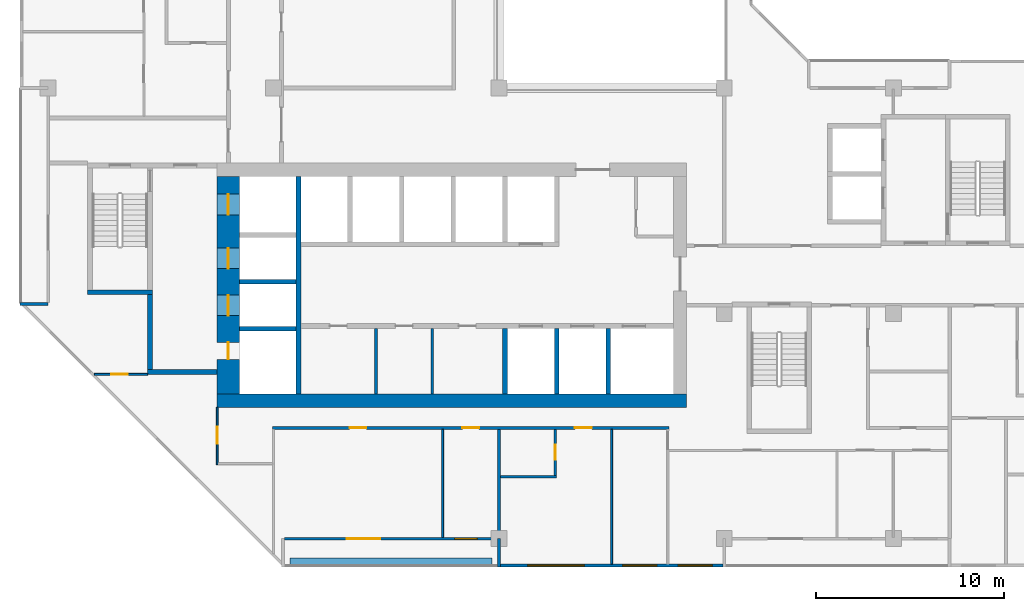
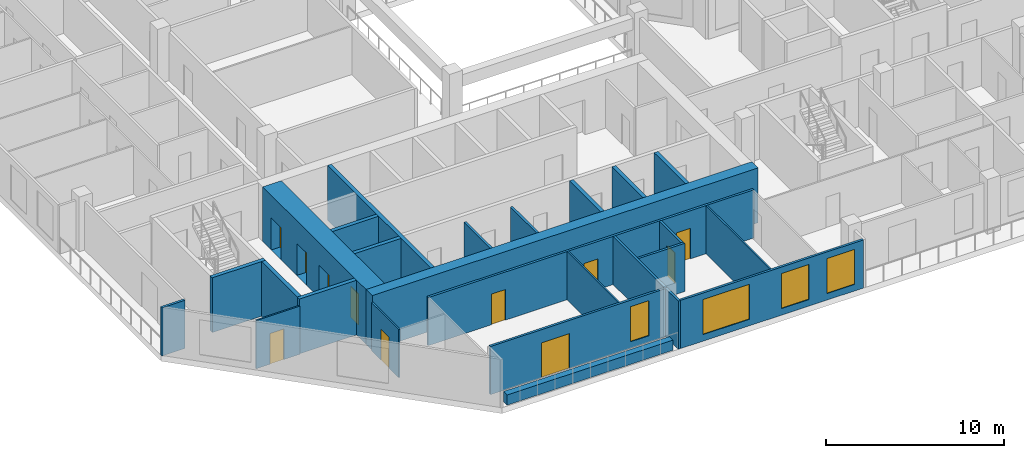
# One storey, part 4 of 15: 26 walls, 11 doors, 4 windows, 15 openings.
"""IFC4 building model written with IfcOpenShell, lengths in metres."""

from ifc_helpers import new_model, si_unit, direction, frame, frame_2d, origin, place, context, subcontext, project, spatial, rectangle, extrude, material, layer, layer_set, type_object, element, fill, save


model = new_model("IFC4")

# Units and contexts
model_context = context("Model", 3, precision=1e-05, world=origin(), true_north=direction((0.0, 1.0)))
body_context = subcontext(model_context, "Body", "Model", "MODEL_VIEW")
ifc_project = project(units=[si_unit("LENGTHUNIT", "METRE"), si_unit("AREAUNIT", "SQUARE_METRE"), si_unit("VOLUMEUNIT", "CUBIC_METRE"), si_unit("PLANEANGLEUNIT", "RADIAN"), si_unit("MASSUNIT", "GRAM", prefix="KILO")], contexts=[model_context])

# Site, building, storey
site_placement = place(None, origin())
site = spatial("IfcSite", under=ifc_project, at=site_placement, CompositionType="ELEMENT")
building_placement = place(site_placement, origin())
building = spatial("IfcBuilding", under=site, at=building_placement, Name="Chenar Terraces", CompositionType="ELEMENT")
storey_placement = place(building_placement, frame((0.0, 0.0, 252.89990234375)))
storey = spatial("IfcBuildingStorey", under=building, at=storey_placement, Name="L60", CompositionType="ELEMENT", Elevation=252.89990234375)

# Walls
ifc_material_1 = material(Name="Gypsum board on steel studs", Category="steel")
ifc_layer_1 = layer(ifc_material_1, 0.14990234375)
ifc_layer_set_1 = layer_set([ifc_layer_1], Name="Gypsum board on steel studs")
wall_type_1 = type_object("IfcWallType", Name="Core partition 150 gypsum board", PredefinedType="PARTITIONING", material=ifc_layer_set_1)
for number, where, z_axis, x_axis, name in (
    (1, (17.449951171875, 7.699951171875, 0.0), (0.0, 0.0, 1.0), (0.0, 1.0, 0.0), "Core partition CP1 freed bay wall"),
    (2, (20.449951171875, 7.699951171875, 0.0), (0.0, 0.0, 1.0), (0.0, 1.0, 0.0), "Core partition CP1 freed bay wall"),
):
    element("IfcWall", number, at=place(storey_placement, frame(where, z_axis=z_axis, x_axis=x_axis)), inside=storey, type_object=wall_type_1, Name=name, PredefinedType="PARTITIONING", context=body_context, shape_type="SweptSolid", body=[
        extrude(rectangle(XDim=3.5, YDim=0.14990234375, at=frame_2d((1.75, 0.0))), origin(), (0.0, 0.0, 1.0), 3.300048828125),
    ])

# Wall, openings, doors
ifc_material_2 = material(Name="Concrete C60/75", Category="concrete")
ifc_layer_2 = layer(ifc_material_2, 1.199951171875)
ifc_layer_set_2 = layer_set([ifc_layer_2], Name="Concrete C60/75")
wall_type_2 = type_object("IfcWallType", Name="Core wall 1200 Concrete C60/75", PredefinedType="SHEAR", material=ifc_layer_set_2)
wall_1_placement = place(storey_placement, frame((9.60009765625, 7.699951171875, 0.0), z_axis=(0.0, 0.0, 1.0), x_axis=(0.0, 1.0, 0.0)))
wall_1 = element("IfcWall", 3, at=wall_1_placement, inside=storey, type_object=wall_type_2, Name="Core wall W L60", PredefinedType="SHEAR", context=body_context, shape_type="SweptSolid", body=[
    extrude(rectangle(XDim=11.60009765625, YDim=1.199951171875, at=frame_2d((5.800048828125, 0.0))), origin(), (0.0, 0.0, 1.0), 3.75),
])
opening_1_placement = place(wall_1_placement, frame((4.175048828125, 0.0, 0.0)))
opening_1 = element("IfcOpeningElement", 4, at=opening_1_placement, cuts=wall_1, Name="Opening DL60-LD5", PredefinedType="OPENING", context=body_context, shape_type="SweptSolid", body=[
    extrude(rectangle(XDim=1.10009765625, YDim=2.199951171875, at=frame_2d((0.550048828125, 1.10009765625))), frame((0.0, 0.60986328125, 0.0), z_axis=(0.0, -1.0, 0.0), x_axis=(1.0, 0.0, 0.0)), (0.0, 0.0, 1.0), 1.219970703125),
])
opening_2_placement = place(wall_1_placement, frame((6.675048828125, 0.0, 0.0)))
opening_2 = element("IfcOpeningElement", 5, at=opening_2_placement, cuts=wall_1, Name="Opening DL60-LD6", PredefinedType="OPENING", context=body_context, shape_type="SweptSolid", body=[
    extrude(rectangle(XDim=1.10009765625, YDim=2.199951171875, at=frame_2d((0.550048828125, 1.10009765625))), frame((0.0, 0.60986328125, 0.0), z_axis=(0.0, -1.0, 0.0), x_axis=(1.0, 0.0, 0.0)), (0.0, 0.0, 1.0), 1.219970703125),
])
opening_3_placement = place(wall_1_placement, frame((9.550048828125, 0.0, 0.0)))
opening_3 = element("IfcOpeningElement", 6, at=opening_3_placement, cuts=wall_1, Name="Opening DL60-LD7", PredefinedType="OPENING", context=body_context, shape_type="SweptSolid", body=[
    extrude(rectangle(XDim=1.10009765625, YDim=2.199951171875, at=frame_2d((0.550048828125, 1.10009765625))), frame((0.0, 0.60986328125, 0.0), z_axis=(0.0, -1.0, 0.0), x_axis=(1.0, 0.0, 0.0)), (0.0, 0.0, 1.0), 1.219970703125),
])
opening_4_placement = place(wall_1_placement, frame((1.85009765625, 0.0, 0.0)))
opening_4 = element("IfcOpeningElement", 7, at=opening_4_placement, cuts=wall_1, Name="Opening DL60-C4", PredefinedType="OPENING", context=body_context, shape_type="SweptSolid", body=[
    extrude(rectangle(XDim=0.89990234375, YDim=2.10009765625, at=frame_2d((0.449951171875, 1.050048828125))), frame((0.0, 0.60986328125, 0.0), z_axis=(0.0, -1.0, 0.0), x_axis=(1.0, 0.0, 0.0)), (0.0, 0.0, 1.0), 1.219970703125),
])
ifc_material_3 = material(Name="Stainless steel", Category="steel")
door_type_1 = type_object("IfcDoorType", Name="Lift landing door 1100 x 2200 sliding", OperationType="DOUBLE_DOOR_SLIDING", PredefinedType="DOOR", material=ifc_material_3)
door_1_placement = place(opening_1_placement, origin())
door_1 = element("IfcDoor", 8, at=door_1_placement, inside=storey, type_object=door_type_1, Name="Landing door S1", OperationType="DOUBLE_DOOR_SLIDING", OverallHeight=2.199951171875, OverallWidth=1.10009765625, PredefinedType="DOOR", context=body_context, shape_type="SweptSolid", body=[
    extrude(rectangle(XDim=1.10009765625, YDim=2.199951171875, at=frame_2d((0.550048828125, 1.10009765625))), frame((0.0, 0.02490234375, 0.0), z_axis=(0.0, -1.0, 0.0), x_axis=(1.0, 0.0, 0.0)), (0.0, 0.0, 1.0), 0.050048828125),
])
fill(opening_1, door_1)
door_2_placement = place(opening_2_placement, origin())
door_2 = element("IfcDoor", 9, at=door_2_placement, inside=storey, type_object=door_type_1, Name="Landing door F1", OperationType="DOUBLE_DOOR_SLIDING", OverallHeight=2.199951171875, OverallWidth=1.10009765625, PredefinedType="DOOR", context=body_context, shape_type="SweptSolid", body=[
    extrude(rectangle(XDim=1.10009765625, YDim=2.199951171875, at=frame_2d((0.550048828125, 1.10009765625))), frame((0.0, 0.02490234375, 0.0), z_axis=(0.0, -1.0, 0.0), x_axis=(1.0, 0.0, 0.0)), (0.0, 0.0, 1.0), 0.050048828125),
])
fill(opening_2, door_2)
door_3_placement = place(opening_3_placement, origin())
door_3 = element("IfcDoor", 10, at=door_3_placement, inside=storey, type_object=door_type_1, Name="Landing door F2", OperationType="DOUBLE_DOOR_SLIDING", OverallHeight=2.199951171875, OverallWidth=1.10009765625, PredefinedType="DOOR", context=body_context, shape_type="SweptSolid", body=[
    extrude(rectangle(XDim=1.10009765625, YDim=2.199951171875, at=frame_2d((0.550048828125, 1.10009765625))), frame((0.0, 0.02490234375, 0.0), z_axis=(0.0, -1.0, 0.0), x_axis=(1.0, 0.0, 0.0)), (0.0, 0.0, 1.0), 0.050048828125),
])
fill(opening_3, door_3)
ifc_material_4 = material(Name="Steel-framed fire-resisting door leaf", Category="steel")
door_type_2 = type_object("IfcDoorType", Name="Riser fire door FD60 900 x 2100", OperationType="SINGLE_SWING_LEFT", PredefinedType="DOOR", material=ifc_material_4)
door_4_placement = place(opening_4_placement, frame((0.89990234375, 0.0, 0.0), z_axis=(0.0, 0.0, 1.0), x_axis=(-1.0, 0.0, 0.0)))
door_4 = element("IfcDoor", 11, at=door_4_placement, inside=storey, type_object=door_type_2, Name="Riser door DL60-C4", OperationType="SINGLE_SWING_LEFT", OverallHeight=2.10009765625, OverallWidth=0.89990234375, PredefinedType="DOOR", context=body_context, shape_type="SweptSolid", body=[
    extrude(rectangle(XDim=0.89990234375, YDim=2.10009765625, at=frame_2d((0.449951171875, 1.050048828125))), frame((0.0, 0.02490234375, 0.0), z_axis=(0.0, -1.0, 0.0), x_axis=(1.0, 0.0, 0.0)), (0.0, 0.0, 1.0), 0.050048828125),
])
fill(opening_4, door_4)

# Walls
ifc_material_5 = material(Name="Concrete C60/75", Category="concrete")
ifc_layer_3 = layer(ifc_material_5, 0.25)
ifc_layer_set_3 = layer_set([ifc_layer_3], Name="Concrete C60/75")
wall_type_3 = type_object("IfcWallType", Name="Core wall 250 Concrete C60/75", PredefinedType="SHEAR", material=ifc_layer_set_3)
wall_2_placement = place(storey_placement, frame((13.324951171875, 7.699951171875, 0.0), z_axis=(0.0, 0.0, 1.0), x_axis=(0.0, 1.0, 0.0)))
element("IfcWall", 12, at=wall_2_placement, inside=storey, type_object=wall_type_3, Name="Core wall WI L60", PredefinedType="SHEAR", context=body_context, shape_type="SweptSolid", body=[
    extrude(rectangle(XDim=11.60009765625, YDim=0.25, at=frame_2d((5.800048828125, 0.0))), origin(), (0.0, 0.0, 1.0), 3.75),
])
for number, where, z_axis, x_axis, name in (
    (13, (10.199951171875, 11.175048828125, 0.0), (0.0, 0.0, 1.0), (1.0, 0.0, 0.0), "Core wall HW0 L60"),
    (14, (10.199951171875, 13.675048828125, 0.0), (0.0, 0.0, 1.0), (1.0, 0.0, 0.0), "Core wall HW1 L60"),
):
    element("IfcWall", number, at=place(storey_placement, frame(where, z_axis=z_axis, x_axis=x_axis)), inside=storey, type_object=wall_type_3, Name=name, PredefinedType="SHEAR", context=body_context, shape_type="SweptSolid", body=[
        extrude(rectangle(XDim=3.0, YDim=0.25, at=frame_2d((1.5, 0.0))), origin(), (0.0, 0.0, 1.0), 3.75),
    ])
for number, where, z_axis, x_axis, name in (
    (15, (24.324951171875, 7.699951171875, 0.0), (0.0, 0.0, 1.0), (0.0, 1.0, 0.0), "Core wall SS3 L60"),
    (16, (27.074951171875, 7.699951171875, 0.0), (0.0, 0.0, 1.0), (0.0, 1.0, 0.0), "Core wall SS4 L60"),
    (17, (29.824951171875, 7.699951171875, 0.0), (0.0, 0.0, 1.0), (0.0, 1.0, 0.0), "Core wall SS5 L60"),
):
    element("IfcWall", number, at=place(storey_placement, frame(where, z_axis=z_axis, x_axis=x_axis)), inside=storey, type_object=wall_type_3, Name=name, PredefinedType="SHEAR", context=body_context, shape_type="SweptSolid", body=[
        extrude(rectangle(XDim=3.5, YDim=0.25, at=frame_2d((1.75, 0.0))), origin(), (0.0, 0.0, 1.0), 3.75),
    ])
wall_3_placement = place(storey_placement, frame((2.10009765625, 13.125, 0.0), z_axis=(0.0, 0.0, 1.0), x_axis=(1.0, 0.0, 0.0)))
element("IfcWall", 18, at=wall_3_placement, inside=storey, type_object=wall_type_3, Name="Core wall ST1_S L60", PredefinedType="SHEAR", context=body_context, shape_type="SweptSolid", body=[
    extrude(rectangle(XDim=3.449951171875, YDim=0.25, at=frame_2d((1.72509765625, 0.0))), origin(), (0.0, 0.0, 1.0), 3.75),
])
wall_4_placement = place(storey_placement, frame((5.300048828125, 8.875, 0.0), z_axis=(0.0, 0.0, 1.0), x_axis=(1.0, 0.0, 0.0)))
element("IfcWall", 19, at=wall_4_placement, inside=storey, type_object=wall_type_3, Name="Core wall FFL_S L60", PredefinedType="SHEAR", context=body_context, shape_type="SweptSolid", body=[
    extrude(rectangle(XDim=3.699951171875, YDim=0.25, at=frame_2d((1.85009765625, 0.0))), origin(), (0.0, 0.0, 1.0), 3.75),
])
wall_5_placement = place(storey_placement, frame((5.425048828125, 9.0, 0.0), z_axis=(0.0, 0.0, 1.0), x_axis=(0.0, 1.0, 0.0)))
element("IfcWall", 20, at=wall_5_placement, inside=storey, type_object=wall_type_3, Name="Core wall FFL_W L60", PredefinedType="SHEAR", context=body_context, shape_type="SweptSolid", body=[
    extrude(rectangle(XDim=4.0, YDim=0.25, at=frame_2d((2.0, 0.0))), origin(), (0.0, 0.0, 1.0), 3.75),
])
ifc_material_6 = material(Name="Concrete C60/75", Category="concrete")
ifc_layer_4 = layer(ifc_material_6, 0.699951171875)
ifc_layer_set_4 = layer_set([ifc_layer_4], Name="Concrete C60/75")
wall_type_4 = type_object("IfcWallType", Name="Core wall 700 Concrete C60/75", PredefinedType="SHEAR", material=ifc_layer_set_4)
wall_6_placement = place(storey_placement, frame((9.0, 7.35009765625, 0.0), z_axis=(0.0, 0.0, 1.0), x_axis=(1.0, 0.0, 0.0)))
element("IfcWall", 21, at=wall_6_placement, inside=storey, type_object=wall_type_4, Name="Core wall S L60", PredefinedType="SHEAR", context=body_context, shape_type="SweptSolid", body=[
    extrude(rectangle(XDim=25.0, YDim=0.699951171875, at=frame_2d((12.5, 0.0))), origin(), (0.0, 0.0, 1.0), 3.75),
])

# Wall, openings, windows
ifc_material_7 = material(Name="Aluminium framed glazing", Category="aluminium")
ifc_layer_5 = layer(ifc_material_7, 0.14990234375)
ifc_layer_set_5 = layer_set([ifc_layer_5], Name="Aluminium framed glazing")
wall_type_5 = type_object("IfcWallType", Name="Glazed flush facade wall 150", PredefinedType="SOLIDWALL", material=ifc_layer_set_5)
wall_7_placement = place(storey_placement, frame((24.074951171875, -1.425048828125, 0.0), z_axis=(0.0, 0.0, 1.0), x_axis=(1.0, 0.0, 0.0)))
wall_7 = element("IfcWall", 22, at=wall_7_placement, inside=storey, type_object=wall_type_5, Name="Glazed flush facade wall", PredefinedType="SOLIDWALL", context=body_context, shape_type="SweptSolid", body=[
    extrude(rectangle(XDim=11.85009765625, YDim=0.14990234375, at=frame_2d((5.925048828125, 0.0))), origin(), (0.0, 0.0, 1.0), 3.300048828125),
])
opening_5_placement = place(wall_7_placement, frame((1.46240234375, 0.0, 0.449951171875)))
opening_5 = element("IfcOpeningElement", 23, at=opening_5_placement, cuts=wall_7, Name="Opening W300x240", PredefinedType="OPENING", context=body_context, shape_type="SweptSolid", body=[
    extrude(rectangle(XDim=3.0, YDim=2.39990234375, at=frame_2d((1.5, 1.199951171875))), frame((0.0, 0.0849609375, 0.0), z_axis=(0.0, -1.0, 0.0), x_axis=(1.0, 0.0, 0.0)), (0.0, 0.0, 1.0), 0.169921875),
])
opening_6_placement = place(wall_7_placement, frame((6.52490234375, 0.0, 0.449951171875)))
opening_6 = element("IfcOpeningElement", 24, at=opening_6_placement, cuts=wall_7, Name="Opening W180x240", PredefinedType="OPENING", context=body_context, shape_type="SweptSolid", body=[
    extrude(rectangle(XDim=1.800048828125, YDim=2.39990234375, at=frame_2d((0.89990234375, 1.199951171875))), frame((0.0, 0.0849609375, 0.0), z_axis=(0.0, -1.0, 0.0), x_axis=(1.0, 0.0, 0.0)), (0.0, 0.0, 1.0), 0.169921875),
])
opening_7_placement = place(wall_7_placement, frame((9.487548828125, 0.0, 0.449951171875)))
opening_7 = element("IfcOpeningElement", 25, at=opening_7_placement, cuts=wall_7, Name="Opening W180x240", PredefinedType="OPENING", context=body_context, shape_type="SweptSolid", body=[
    extrude(rectangle(XDim=1.800048828125, YDim=2.39990234375, at=frame_2d((0.89990234375, 1.199951171875))), frame((0.0, 0.0849609375, 0.0), z_axis=(0.0, -1.0, 0.0), x_axis=(1.0, 0.0, 0.0)), (0.0, 0.0, 1.0), 0.169921875),
])
ifc_material_8 = material(Name="Low emissivity double glazing, aluminium frame", Category="aluminium")
window_type_1 = type_object("IfcWindowType", Name="Fixed light 1800 x 2400", PartitioningType="SINGLE_PANEL", PredefinedType="WINDOW", material=ifc_material_8)
window_1_placement = place(opening_6_placement, origin())
window_1 = element("IfcWindow", 26, at=window_1_placement, inside=storey, type_object=window_type_1, Name="Window", OverallHeight=2.39990234375, OverallWidth=1.800048828125, PartitioningType="SINGLE_PANEL", PredefinedType="WINDOW", context=body_context, shape_type="SweptSolid", body=[
    extrude(rectangle(XDim=1.800048828125, YDim=2.39990234375, at=frame_2d((0.89990234375, 1.199951171875))), frame((0.0, 0.030029296875, 0.0), z_axis=(0.0, -1.0, 0.0), x_axis=(1.0, 0.0, 0.0)), (0.0, 0.0, 1.0), 0.06005859375),
])
fill(opening_6, window_1)
window_2_placement = place(opening_7_placement, origin())
window_2 = element("IfcWindow", 27, at=window_2_placement, inside=storey, type_object=window_type_1, Name="Window", OverallHeight=2.39990234375, OverallWidth=1.800048828125, PartitioningType="SINGLE_PANEL", PredefinedType="WINDOW", context=body_context, shape_type="SweptSolid", body=[
    extrude(rectangle(XDim=1.800048828125, YDim=2.39990234375, at=frame_2d((0.89990234375, 1.199951171875))), frame((0.0, 0.030029296875, 0.0), z_axis=(0.0, -1.0, 0.0), x_axis=(1.0, 0.0, 0.0)), (0.0, 0.0, 1.0), 0.06005859375),
])
fill(opening_7, window_2)
ifc_material_9 = material(Name="Low emissivity double glazing, aluminium frame", Category="aluminium")
window_type_2 = type_object("IfcWindowType", Name="Fixed light 3000 x 2400", PartitioningType="SINGLE_PANEL", PredefinedType="WINDOW", material=ifc_material_9)
window_3_placement = place(opening_5_placement, origin())
window_3 = element("IfcWindow", 28, at=window_3_placement, inside=storey, type_object=window_type_2, Name="Window", OverallHeight=2.39990234375, OverallWidth=3.0, PartitioningType="SINGLE_PANEL", PredefinedType="WINDOW", context=body_context, shape_type="SweptSolid", body=[
    extrude(rectangle(XDim=3.0, YDim=2.39990234375, at=frame_2d((1.5, 1.199951171875))), frame((0.0, 0.030029296875, 0.0), z_axis=(0.0, -1.0, 0.0), x_axis=(1.0, 0.0, 0.0)), (0.0, 0.0, 1.0), 0.06005859375),
])
fill(opening_5, window_3)

# Wall, openings, window, door
ifc_material_10 = material(Name="Aluminium framed glazing", Category="aluminium")
ifc_layer_6 = layer(ifc_material_10, 0.14990234375)
ifc_layer_set_6 = layer_set([ifc_layer_6], Name="Aluminium framed glazing")
wall_type_6 = type_object("IfcWallType", Name="Glazed loggia back wall 150", PredefinedType="SOLIDWALL", material=ifc_layer_set_6)
wall_8_placement = place(storey_placement, frame((12.574951171875, 0.0, 0.0), z_axis=(0.0, 0.0, 1.0), x_axis=(1.0, 0.0, 0.0)))
wall_8 = element("IfcWall", 29, at=wall_8_placement, inside=storey, type_object=wall_type_6, Name="Glazed loggia back wall", PredefinedType="SOLIDWALL", context=body_context, shape_type="SweptSolid", body=[
    extrude(rectangle(XDim=11.35009765625, YDim=0.14990234375, at=frame_2d((5.675048828125, 0.0))), origin(), (0.0, 0.0, 1.0), 3.300048828125),
])
opening_8_placement = place(wall_8_placement, frame((3.3125, 0.0, 0.0)))
opening_8 = element("IfcOpeningElement", 30, at=opening_8_placement, cuts=wall_8, Name="Opening DL60-G5", PredefinedType="OPENING", context=body_context, shape_type="SweptSolid", body=[
    extrude(rectangle(XDim=1.800048828125, YDim=2.39990234375, at=frame_2d((0.89990234375, 1.199951171875))), frame((0.0, 0.0849609375, 0.0), z_axis=(0.0, -1.0, 0.0), x_axis=(1.0, 0.0, 0.0)), (0.0, 0.0, 1.0), 0.169921875),
])
opening_9_placement = place(wall_8_placement, frame((9.0625, 0.0, 0.449951171875)))
opening_9 = element("IfcOpeningElement", 31, at=opening_9_placement, cuts=wall_8, Name="Opening W120x240", PredefinedType="OPENING", context=body_context, shape_type="SweptSolid", body=[
    extrude(rectangle(XDim=1.199951171875, YDim=2.39990234375, at=frame_2d((0.60009765625, 1.199951171875))), frame((0.0, 0.0849609375, 0.0), z_axis=(0.0, -1.0, 0.0), x_axis=(1.0, 0.0, 0.0)), (0.0, 0.0, 1.0), 0.169921875),
])
ifc_material_11 = material(Name="Low emissivity double glazing, aluminium frame", Category="aluminium")
window_type_3 = type_object("IfcWindowType", Name="Fixed light 1200 x 2400", PartitioningType="SINGLE_PANEL", PredefinedType="WINDOW", material=ifc_material_11)
window_4_placement = place(opening_9_placement, origin())
window_4 = element("IfcWindow", 32, at=window_4_placement, inside=storey, type_object=window_type_3, Name="Window", OverallHeight=2.39990234375, OverallWidth=1.199951171875, PartitioningType="SINGLE_PANEL", PredefinedType="WINDOW", context=body_context, shape_type="SweptSolid", body=[
    extrude(rectangle(XDim=1.199951171875, YDim=2.39990234375, at=frame_2d((0.60009765625, 1.199951171875))), frame((0.0, 0.030029296875, 0.0), z_axis=(0.0, -1.0, 0.0), x_axis=(1.0, 0.0, 0.0)), (0.0, 0.0, 1.0), 0.06005859375),
])
fill(opening_9, window_4)
ifc_material_12 = material(Name="Low emissivity double glazing, aluminium frame", Category="aluminium")
door_type_3 = type_object("IfcDoorType", Name="Loggia glazed double door 1800 x 2400", OperationType="DOUBLE_DOOR_SINGLE_SWING", PredefinedType="DOOR", material=ifc_material_12)
door_5_placement = place(opening_8_placement, frame((1.800048828125, 0.0, 0.0), z_axis=(0.0, 0.0, 1.0), x_axis=(-1.0, 0.0, 0.0)))
door_5 = element("IfcDoor", 33, at=door_5_placement, inside=storey, type_object=door_type_3, Name="Loggia glazed door", OperationType="DOUBLE_DOOR_SINGLE_SWING", OverallHeight=2.39990234375, OverallWidth=1.800048828125, PredefinedType="DOOR", context=body_context, shape_type="SweptSolid", body=[
    extrude(rectangle(XDim=1.800048828125, YDim=2.39990234375, at=frame_2d((0.89990234375, 1.199951171875))), frame((0.0, 0.02490234375, 0.0), z_axis=(0.0, -1.0, 0.0), x_axis=(1.0, 0.0, 0.0)), (0.0, 0.0, 1.0), 0.050048828125),
])
fill(opening_8, door_5)

# Wall, opening, door
ifc_material_13 = material(Name="Gypsum board on steel studs", Category="steel")
ifc_layer_7 = layer(ifc_material_13, 0.10009765625)
ifc_layer_set_7 = layer_set([ifc_layer_7], Name="Gypsum board on steel studs")
wall_type_7 = type_object("IfcWallType", Name="Gypsum partition 100", PredefinedType="PARTITIONING", material=ifc_layer_set_7)
wall_9_placement = place(storey_placement, frame((2.4609375, 8.75, 0.0), z_axis=(0.0, 0.0, 1.0), x_axis=(1.0, 0.0, 0.0)))
wall_9 = element("IfcWall", 34, at=wall_9_placement, inside=storey, type_object=wall_type_7, Name="Partition L60-013", PredefinedType="PARTITIONING", context=body_context, shape_type="SweptSolid", body=[
    extrude(rectangle(XDim=2.839111328125, YDim=0.10009765625, at=frame_2d((1.41943359375, 0.0))), origin(), (0.0, 0.0, 1.0), 3.300048828125),
])
opening_10_placement = place(wall_9_placement, frame((0.888916015625, 0.0, 0.0)))
opening_10 = element("IfcOpeningElement", 35, at=opening_10_placement, cuts=wall_9, Name="Opening DL60-53", PredefinedType="OPENING", context=body_context, shape_type="SweptSolid", body=[
    extrude(rectangle(XDim=0.89990234375, YDim=2.10009765625, at=frame_2d((0.449951171875, 1.050048828125))), frame((0.0, 0.06005859375, 0.0), z_axis=(0.0, -1.0, 0.0), x_axis=(1.0, 0.0, 0.0)), (0.0, 0.0, 1.0), 0.1201171875),
])
ifc_material_14 = material(Name="Veneered timber door leaf", Category="wood")
door_type_4 = type_object("IfcDoorType", Name="Door 900 x 2100", OperationType="SINGLE_SWING_LEFT", PredefinedType="DOOR", material=ifc_material_14)
door_6_placement = place(opening_10_placement, frame((0.89990234375, 0.0, 0.0), z_axis=(0.0, 0.0, 1.0), x_axis=(-1.0, 0.0, 0.0)))
door_6 = element("IfcDoor", 36, at=door_6_placement, inside=storey, type_object=door_type_4, Name="Door DL60-53", OperationType="SINGLE_SWING_RIGHT", OverallHeight=2.10009765625, OverallWidth=0.89990234375, PredefinedType="DOOR", context=body_context, shape_type="SweptSolid", body=[
    extrude(rectangle(XDim=0.89990234375, YDim=2.10009765625, at=frame_2d((0.449951171875, 1.050048828125))), frame((0.0, 0.02490234375, 0.0), z_axis=(0.0, -1.0, 0.0), x_axis=(1.0, 0.0, 0.0)), (0.0, 0.0, 1.0), 0.050048828125),
])
fill(opening_10, door_6)

wall_10_placement = place(storey_placement, frame((9.0, 3.949951171875, 0.0), z_axis=(0.0, 0.0, 1.0), x_axis=(0.0, 1.0, 0.0)))
wall_10 = element("IfcWall", 37, at=wall_10_placement, inside=storey, type_object=wall_type_7, Name="Partition L60-031", PredefinedType="PARTITIONING", context=body_context, shape_type="SweptSolid", body=[
    extrude(rectangle(XDim=3.050048828125, YDim=0.10009765625, at=frame_2d((1.52490234375, 0.0))), origin(), (0.0, 0.0, 1.0), 3.300048828125),
])
opening_11_placement = place(wall_10_placement, frame((1.10009765625, 0.0, 0.0)))
opening_11 = element("IfcOpeningElement", 38, at=opening_11_placement, cuts=wall_10, Name="Opening DL60-52", PredefinedType="OPENING", context=body_context, shape_type="SweptSolid", body=[
    extrude(rectangle(XDim=0.89990234375, YDim=2.10009765625, at=frame_2d((0.449951171875, 1.050048828125))), frame((0.0, 0.06005859375, 0.0), z_axis=(0.0, -1.0, 0.0), x_axis=(1.0, 0.0, 0.0)), (0.0, 0.0, 1.0), 0.1201171875),
])
door_7_placement = place(opening_11_placement, origin())
door_7 = element("IfcDoor", 39, at=door_7_placement, inside=storey, type_object=door_type_4, Name="Door DL60-52", OperationType="SINGLE_SWING_LEFT", OverallHeight=2.10009765625, OverallWidth=0.89990234375, PredefinedType="DOOR", context=body_context, shape_type="SweptSolid", body=[
    extrude(rectangle(XDim=0.89990234375, YDim=2.10009765625, at=frame_2d((0.449951171875, 1.050048828125))), frame((0.0, 0.02490234375, 0.0), z_axis=(0.0, -1.0, 0.0), x_axis=(1.0, 0.0, 0.0)), (0.0, 0.0, 1.0), 0.050048828125),
])
fill(opening_11, door_7)

# Walls
wall_11_placement = place(storey_placement, frame((21.0, 0.073974609375, 0.0), z_axis=(0.0, 0.0, 1.0), x_axis=(0.0, 1.0, 0.0)))
element("IfcWall", 40, at=wall_11_placement, inside=storey, type_object=wall_type_7, Name="Partition L60-056", PredefinedType="PARTITIONING", context=body_context, shape_type="SweptSolid", body=[
    extrude(rectangle(XDim=5.7509765625, YDim=0.10009765625, at=frame_2d((2.87548828125, 0.0))), origin(), (0.0, 0.0, 1.0), 3.300048828125),
])
wall_12_placement = place(storey_placement, frame((30.0, -1.35107421875, 0.0), z_axis=(0.0, 0.0, 1.0), x_axis=(0.0, 1.0, 0.0)))
element("IfcWall", 41, at=wall_12_placement, inside=storey, type_object=wall_type_7, Name="Partition L60-061", PredefinedType="PARTITIONING", context=body_context, shape_type="SweptSolid", body=[
    extrude(rectangle(XDim=7.176025390625, YDim=0.10009765625, at=frame_2d((3.587890625, 0.0))), origin(), (0.0, 0.0, 1.0), 3.300048828125),
])
ifc_material_15 = material(Name="Terracotta cladding on insulated backing", Category="masonry")
ifc_layer_8 = layer(ifc_material_15, 0.14990234375)
ifc_layer_set_8 = layer_set([ifc_layer_8], Name="Terracotta cladding on insulated backing")
wall_type_8 = type_object("IfcWallType", Name="Loggia return wall 150", PredefinedType="SOLIDWALL", material=ifc_layer_set_8)
for number, where, z_axis, x_axis, name in (
    (42, (-1.5, 12.5, 0.0), (0.0, 0.0, 1.0), (1.0, 0.0, 0.0), "Loggia return wall"),
    (43, (24.0, -1.5, 0.0), (0.0, 0.0, 1.0), (0.0, 1.0, 0.0), "Loggia return wall"),
):
    element("IfcWall", number, at=place(storey_placement, frame(where, z_axis=z_axis, x_axis=x_axis)), inside=storey, type_object=wall_type_8, Name=name, PredefinedType="SOLIDWALL", context=body_context, shape_type="SweptSolid", body=[
        extrude(rectangle(XDim=1.5, YDim=0.14990234375, at=frame_2d((0.75, 0.0))), origin(), (0.0, 0.0, 1.0), 3.300048828125),
    ])
ifc_material_16 = material(Name="GRP planter trough")
ifc_layer_9 = layer(ifc_material_16, 0.39990234375)
ifc_layer_set_9 = layer_set([ifc_layer_9], Name="GRP planter trough")
wall_type_9 = type_object("IfcWallType", Name="Vertical greenery planter 400", PredefinedType="SOLIDWALL", material=ifc_layer_set_9)
wall_13_placement = place(storey_placement, frame((12.875, -1.22900390625, 0.0), z_axis=(0.0, 0.0, 1.0), x_axis=(1.0, 0.0, 0.0)))
element("IfcWall", 44, at=wall_13_placement, inside=storey, type_object=wall_type_9, Name="Vertical greenery planter", PredefinedType="SOLIDWALL", context=body_context, shape_type="SweptSolid", body=[
    extrude(rectangle(XDim=10.75, YDim=0.39990234375, at=frame_2d((5.375, 0.0))), origin(), (0.0, 0.0, 1.0), 0.7001953125),
])

# Wall, openings, doors
ifc_material_17 = material(Name="Moisture-resistant gypsum board on steel studs", Category="steel")
ifc_layer_10 = layer(ifc_material_17, 0.14990234375)
ifc_layer_set_10 = layer_set([ifc_layer_10], Name="Moisture-resistant gypsum board on steel studs")
wall_type_10 = type_object("IfcWallType", Name="Wet-room partition 150", PredefinedType="PARTITIONING", material=ifc_layer_set_10)
wall_14_placement = place(storey_placement, frame((11.949951171875, 5.89990234375, 0.0), z_axis=(0.0, 0.0, 1.0), x_axis=(1.0, 0.0, 0.0)))
wall_14 = element("IfcWall", 45, at=wall_14_placement, inside=storey, type_object=wall_type_10, Name="Partition L60-034", PredefinedType="PARTITIONING", context=body_context, shape_type="SweptSolid", body=[
    extrude(rectangle(XDim=21.10009765625, YDim=0.14990234375, at=frame_2d((10.550048828125, 0.0))), origin(), (0.0, 0.0, 1.0), 3.300048828125),
])
opening_12_placement = place(wall_14_placement, frame((10.10009765625, 0.0, 0.0)))
opening_12 = element("IfcOpeningElement", 46, at=opening_12_placement, cuts=wall_14, Name="Opening DL60-48", PredefinedType="OPENING", context=body_context, shape_type="SweptSolid", body=[
    extrude(rectangle(XDim=0.89990234375, YDim=2.10009765625, at=frame_2d((0.449951171875, 1.050048828125))), frame((0.0, 0.0849609375, 0.0), z_axis=(0.0, -1.0, 0.0), x_axis=(1.0, 0.0, 0.0)), (0.0, 0.0, 1.0), 0.169921875),
])
opening_13_placement = place(wall_14_placement, frame((16.10009765625, 0.0, 0.0)))
opening_13 = element("IfcOpeningElement", 47, at=opening_13_placement, cuts=wall_14, Name="Opening DL60-54", PredefinedType="OPENING", context=body_context, shape_type="SweptSolid", body=[
    extrude(rectangle(XDim=0.89990234375, YDim=2.10009765625, at=frame_2d((0.449951171875, 1.050048828125))), frame((0.0, 0.0849609375, 0.0), z_axis=(0.0, -1.0, 0.0), x_axis=(1.0, 0.0, 0.0)), (0.0, 0.0, 1.0), 0.169921875),
])
opening_14_placement = place(wall_14_placement, frame((4.10009765625, 0.0, 0.0)))
opening_14 = element("IfcOpeningElement", 48, at=opening_14_placement, cuts=wall_14, Name="Opening DL60-58", PredefinedType="OPENING", context=body_context, shape_type="SweptSolid", body=[
    extrude(rectangle(XDim=0.89990234375, YDim=2.10009765625, at=frame_2d((0.449951171875, 1.050048828125))), frame((0.0, 0.0849609375, 0.0), z_axis=(0.0, -1.0, 0.0), x_axis=(1.0, 0.0, 0.0)), (0.0, 0.0, 1.0), 0.169921875),
])
door_8_placement = place(opening_12_placement, frame((0.89990234375, 0.0, 0.0), z_axis=(0.0, 0.0, 1.0), x_axis=(-1.0, 0.0, 0.0)))
door_8 = element("IfcDoor", 49, at=door_8_placement, inside=storey, type_object=door_type_4, Name="Door DL60-48", OperationType="SINGLE_SWING_RIGHT", OverallHeight=2.10009765625, OverallWidth=0.89990234375, PredefinedType="DOOR", context=body_context, shape_type="SweptSolid", body=[
    extrude(rectangle(XDim=0.89990234375, YDim=2.10009765625, at=frame_2d((0.449951171875, 1.050048828125))), frame((0.0, 0.02490234375, 0.0), z_axis=(0.0, -1.0, 0.0), x_axis=(1.0, 0.0, 0.0)), (0.0, 0.0, 1.0), 0.050048828125),
])
fill(opening_12, door_8)
door_9_placement = place(opening_13_placement, frame((0.89990234375, 0.0, 0.0), z_axis=(0.0, 0.0, 1.0), x_axis=(-1.0, 0.0, 0.0)))
door_9 = element("IfcDoor", 50, at=door_9_placement, inside=storey, type_object=door_type_4, Name="Door DL60-54", OperationType="SINGLE_SWING_RIGHT", OverallHeight=2.10009765625, OverallWidth=0.89990234375, PredefinedType="DOOR", context=body_context, shape_type="SweptSolid", body=[
    extrude(rectangle(XDim=0.89990234375, YDim=2.10009765625, at=frame_2d((0.449951171875, 1.050048828125))), frame((0.0, 0.02490234375, 0.0), z_axis=(0.0, -1.0, 0.0), x_axis=(1.0, 0.0, 0.0)), (0.0, 0.0, 1.0), 0.050048828125),
])
fill(opening_13, door_9)
door_10_placement = place(opening_14_placement, frame((0.89990234375, 0.0, 0.0), z_axis=(0.0, 0.0, 1.0), x_axis=(-1.0, 0.0, 0.0)))
door_10 = element("IfcDoor", 51, at=door_10_placement, inside=storey, type_object=door_type_4, Name="Door DL60-58", OperationType="SINGLE_SWING_RIGHT", OverallHeight=2.10009765625, OverallWidth=0.89990234375, PredefinedType="DOOR", context=body_context, shape_type="SweptSolid", body=[
    extrude(rectangle(XDim=0.89990234375, YDim=2.10009765625, at=frame_2d((0.449951171875, 1.050048828125))), frame((0.0, 0.02490234375, 0.0), z_axis=(0.0, -1.0, 0.0), x_axis=(1.0, 0.0, 0.0)), (0.0, 0.0, 1.0), 0.050048828125),
])
fill(opening_14, door_10)

# Walls
wall_15_placement = place(storey_placement, frame((24.0, 0.0, 0.0), z_axis=(0.0, 0.0, 1.0), x_axis=(0.0, 1.0, 0.0)))
element("IfcWall", 52, at=wall_15_placement, inside=storey, type_object=wall_type_10, Name="Partition L60-058", PredefinedType="PARTITIONING", context=body_context, shape_type="SweptSolid", body=[
    extrude(rectangle(XDim=5.824951171875, YDim=0.14990234375, at=frame_2d((2.91259765625, 0.0))), origin(), (0.0, 0.0, 1.0), 3.300048828125),
])
wall_16_placement = place(storey_placement, frame((24.074951171875, 3.300048828125, 0.0), z_axis=(0.0, 0.0, 1.0), x_axis=(1.0, 0.0, 0.0)))
element("IfcWall", 53, at=wall_16_placement, inside=storey, type_object=wall_type_10, Name="Partition L60-059", PredefinedType="PARTITIONING", context=body_context, shape_type="SweptSolid", body=[
    extrude(rectangle(XDim=3.0, YDim=0.14990234375, at=frame_2d((1.5, 0.0))), origin(), (0.0, 0.0, 1.0), 3.300048828125),
])

# Wall, opening, door
wall_17_placement = place(storey_placement, frame((27.0, 3.375, 0.0), z_axis=(0.0, 0.0, 1.0), x_axis=(0.0, 1.0, 0.0)))
wall_17 = element("IfcWall", 54, at=wall_17_placement, inside=storey, type_object=wall_type_10, Name="Partition L60-060", PredefinedType="PARTITIONING", context=body_context, shape_type="SweptSolid", body=[
    extrude(rectangle(XDim=2.449951171875, YDim=0.14990234375, at=frame_2d((1.22509765625, 0.0))), origin(), (0.0, 0.0, 1.0), 3.300048828125),
])
opening_15_placement = place(wall_17_placement, frame((0.824951171875, 0.0, 0.0)))
opening_15 = element("IfcOpeningElement", 55, at=opening_15_placement, cuts=wall_17, Name="Opening DL60-55", PredefinedType="OPENING", context=body_context, shape_type="SweptSolid", body=[
    extrude(rectangle(XDim=0.800048828125, YDim=2.10009765625, at=frame_2d((0.39990234375, 1.050048828125))), frame((0.0, 0.0849609375, 0.0), z_axis=(0.0, -1.0, 0.0), x_axis=(1.0, 0.0, 0.0)), (0.0, 0.0, 1.0), 0.169921875),
])
ifc_material_18 = material(Name="Veneered timber door leaf", Category="wood")
door_type_5 = type_object("IfcDoorType", Name="Door 800 x 2100", OperationType="SINGLE_SWING_LEFT", PredefinedType="DOOR", material=ifc_material_18)
door_11_placement = place(opening_15_placement, origin())
door_11 = element("IfcDoor", 56, at=door_11_placement, inside=storey, type_object=door_type_5, Name="Door DL60-55", OperationType="SINGLE_SWING_RIGHT", OverallHeight=2.10009765625, OverallWidth=0.800048828125, PredefinedType="DOOR", context=body_context, shape_type="SweptSolid", body=[
    extrude(rectangle(XDim=0.800048828125, YDim=2.10009765625, at=frame_2d((0.39990234375, 1.050048828125))), frame((0.0, 0.02490234375, 0.0), z_axis=(0.0, -1.0, 0.0), x_axis=(1.0, 0.0, 0.0)), (0.0, 0.0, 1.0), 0.050048828125),
])
fill(opening_15, door_11)

save(model, "model.ifc")
